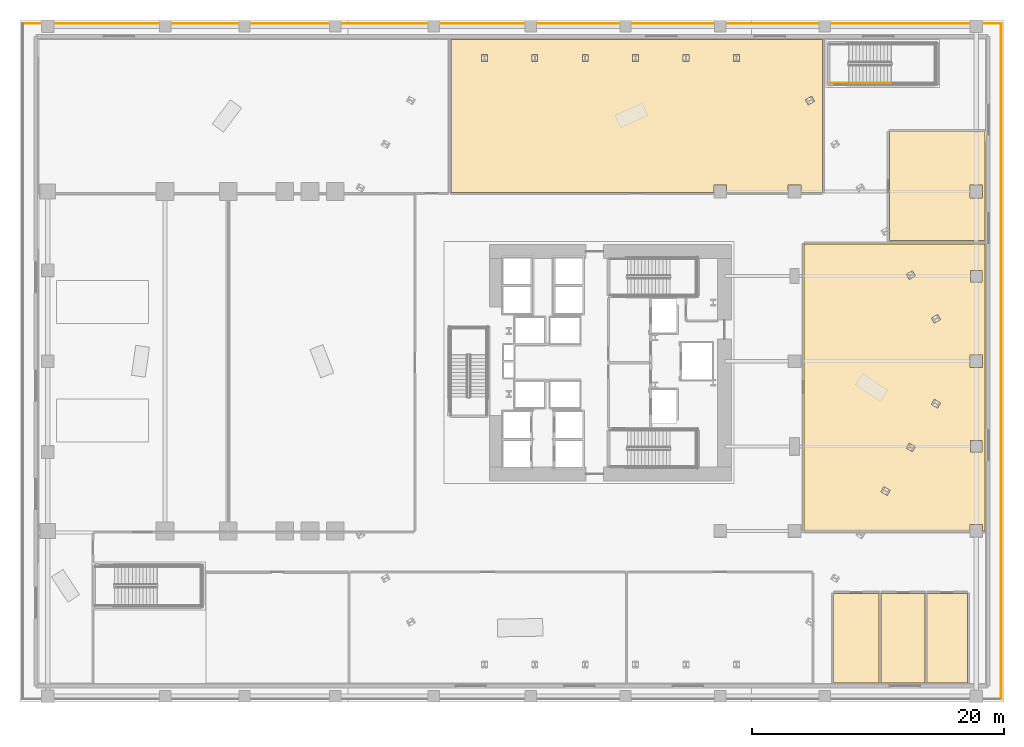
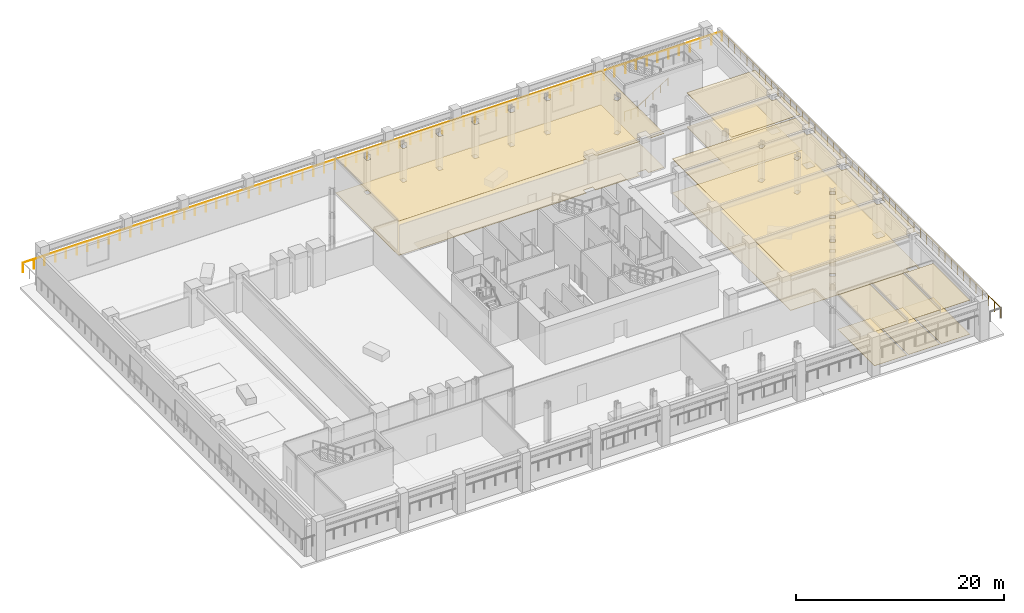
# One storey, part 16 of 18: 12 coverings, 4 railings.
"""IFC4 building model written with IfcOpenShell, lengths in metres."""

import ifcopenshell
import ifcopenshell.guid

model = None  # the IFC model being written
_history = None  # IfcOwnerHistory: only IFC2X3 demands one
_inside = {}  # id of a spatial element -> (the spatial element, [elements in it])
_under = {}  # id of a project, library or spatial element -> (it, [spatial elements below it])
_declared = {}  # id of a project -> (the project, [libraries it declares])
_typed = {}  # id of a type object -> (the type object, [elements of that type])
_made_of = {}  # id of a material, layer set ... -> (it, [elements and type objects made of it])


def new_model(schema):
    """Start an empty IFC model of exactly this schema.

    Asked for "IFC4X3", IfcOpenShell would pick the latest addendum, in which some entities
    have other attributes; the version numbers below select the first issue.
    IFC2X3 requires an IfcOwnerHistory on every rooted entity: one is made here for all.
    """
    global model, _history
    if schema == "IFC4X3":
        model = ifcopenshell.file(schema_version=(4, 3, 0, 0))
    else:
        model = ifcopenshell.file(schema=schema)
    _inside.clear()
    _under.clear()
    _declared.clear()
    _typed.clear()
    _made_of.clear()
    _history = None
    if model.schema == "IFC2X3":
        org = make("IfcOrganization", Name="unknown")
        user = make(
            "IfcPersonAndOrganization",
            ThePerson=make("IfcPerson", FamilyName="unknown"),
            TheOrganization=org,
        )
        app = make(
            "IfcApplication",
            ApplicationDeveloper=org,
            Version="unknown",
            ApplicationFullName="unknown",
            ApplicationIdentifier="unknown",
        )
        _history = make(
            "IfcOwnerHistory",
            OwningUser=user,
            OwningApplication=app,
            ChangeAction="ADDED",
            CreationDate=0,
        )
    return model


def make(cls, **values):
    """One entity of the class cls with the attributes given. An attribute that is None is left unset."""
    return model.create_entity(
        cls, **{name: value for name, value in values.items() if value is not None}
    )


def rooted(cls, **values):
    """An entity with a GlobalId (a new one), such as an element, a storey or a relation."""
    return make(cls, GlobalId=ifcopenshell.guid.new(), OwnerHistory=_history, **values)


def si_unit(unit_type, name, prefix=None):
    """IfcSIUnit, for example si_unit("LENGTHUNIT", "METRE", prefix="MILLI")."""
    return make("IfcSIUnit", UnitType=unit_type, Prefix=prefix, Name=name)


def assignment(units):
    """IfcUnitAssignment: the units of a project."""
    return None if units is None else make("IfcUnitAssignment", Units=units)


def point(xyz):
    """IfcCartesianPoint."""
    return None if xyz is None else make("IfcCartesianPoint", Coordinates=xyz)


def direction(xyz):
    """IfcDirection."""
    return None if xyz is None else make("IfcDirection", DirectionRatios=xyz)


def frame(location, z_axis=None, x_axis=None):
    """IfcAxis2Placement3D, a coordinate frame: its origin and axes. An axis left out is left unset."""
    return make(
        "IfcAxis2Placement3D",
        Location=point(location),
        Axis=direction(z_axis),
        RefDirection=direction(x_axis),
    )


def frame_2d(location, x_axis=None):
    """IfcAxis2Placement2D, a coordinate frame in the plane: its origin and x axis."""
    return make(
        "IfcAxis2Placement2D", Location=point(location), RefDirection=direction(x_axis)
    )


def origin():
    """The frame at (0, 0, 0) with its axes left unset."""
    return frame((0.0, 0.0, 0.0))


def origin_2d():
    """The frame at (0, 0) in the plane with its x axis left unset."""
    return frame_2d((0.0, 0.0))


def place(relative_to, where):
    """IfcLocalPlacement: puts the frame where relative to a parent placement (None: the world)."""
    return make(
        "IfcLocalPlacement", PlacementRelTo=relative_to, RelativePlacement=where
    )


def context(
    kind, dimensions, precision=None, world=None, true_north=None, identifier=None
):
    """IfcGeometricRepresentationContext, for example the 3D "Model" context."""
    return make(
        "IfcGeometricRepresentationContext",
        ContextIdentifier=identifier,
        ContextType=kind,
        CoordinateSpaceDimension=dimensions,
        Precision=precision,
        WorldCoordinateSystem=world,
        TrueNorth=true_north,
    )


def subcontext(parent, identifier, kind, view, scale=None):
    """IfcGeometricRepresentationSubContext, for example "Body" below "Model"."""
    return make(
        "IfcGeometricRepresentationSubContext",
        ContextIdentifier=identifier,
        ContextType=kind,
        ParentContext=parent,
        TargetScale=scale,
        TargetView=view,
    )


def project(units=None, contexts=None):
    """IfcProject with its units and contexts."""
    return rooted(
        "IfcProject",
        Name="project",
        RepresentationContexts=contexts,
        UnitsInContext=assignment(units),
    )


def spatial(cls, under=None, at=None, **own):
    """A site, building, storey or space (cls), placed at a placement, below another one or the project."""
    s = rooted(cls, ObjectPlacement=at, **own)
    if under is not None:
        _under.setdefault(under.id(), (under, []))[1].append(s)
    return s


def polyline(points):
    """IfcPolyline through the points."""
    return make("IfcPolyline", Points=[point(p) for p in points])


def profile(cls, at=None, kind="AREA", **sizes):
    """A parametric profile (cls). Its sizes go by their IFC names, for example OverallWidth=200.0."""
    return make(cls, ProfileType=kind, Position=at, **sizes)


def circle(**sizes):
    """IfcCircleProfileDef."""
    return profile("IfcCircleProfileDef", **sizes)


def outline(outer, holes=None, kind="AREA"):
    """IfcArbitraryClosedProfileDef: a profile drawn as a closed curve; with holes, ...WithVoids."""
    if holes is None:
        return make("IfcArbitraryClosedProfileDef", ProfileType=kind, OuterCurve=outer)
    return make(
        "IfcArbitraryProfileDefWithVoids",
        ProfileType=kind,
        OuterCurve=outer,
        InnerCurves=holes,
    )


def extrude(swept, where, along, depth):
    """IfcExtrudedAreaSolid: the profile swept, set in the frame where, extruded along a direction by depth."""
    return make(
        "IfcExtrudedAreaSolid",
        SweptArea=swept,
        Position=where,
        ExtrudedDirection=direction(along),
        Depth=depth,
    )


def shape(context_of_items, identifier, shape_type, items):
    """IfcShapeRepresentation: the items that make up one representation, for example the "Body"."""
    return make(
        "IfcShapeRepresentation",
        ContextOfItems=context_of_items,
        RepresentationIdentifier=identifier,
        RepresentationType=shape_type,
        Items=items,
    )


def material(Name=None, Category=None):
    """IfcMaterial."""
    return make("IfcMaterial", Name=Name, Category=Category)


def layer(
    of_material, thickness, ventilated=None, Name=None, Category=None, Priority=None
):
    """IfcMaterialLayer: one layer of a wall or slab, of a material (None: an air gap)."""
    return make(
        "IfcMaterialLayer",
        Material=of_material,
        LayerThickness=thickness,
        IsVentilated=ventilated,
        Name=Name,
        Category=Category,
        Priority=Priority,
    )


def layer_set(layers, Name=None):
    """IfcMaterialLayerSet."""
    return make("IfcMaterialLayerSet", MaterialLayers=layers, LayerSetName=Name)


def made_of(thing, what):
    """Note that an element or type object is made of a material, layer set ...; save() writes the relation."""
    if what is not None:
        _made_of.setdefault(what.id(), (what, []))[1].append(thing)
    return thing


def type_object(cls, material=None, **own):
    """A type object (cls), such as IfcWallType, which elements share."""
    return made_of(rooted(cls, **own), material)


def element(
    cls,
    number,
    at=None,
    inside=None,
    cuts=None,
    type_object=None,
    material=None,
    context=None,
    identifier="Body",
    shape_type=None,
    held_by="IfcProductDefinitionShape",
    body=None,
    shapes=None,
    **own,
):
    """One element of the class cls, such as IfcWall. Its Tag is "e" and its number.

    at: its placement. inside: the storey or other place that contains it. cuts: it is an
    opening in that element (IfcRelVoidsElement). A single representation is given by context,
    identifier, shape_type and body (its items); several are given by shapes. held_by: the class
    of the entity that holds the representations. save() writes the other relations.
    """
    e = rooted(cls, Tag="e%d" % number, ObjectPlacement=at, **own)
    if body is not None:
        shapes = [shape(context, identifier, shape_type, body)]
    if shapes is not None:
        e.Representation = make(held_by, Representations=shapes)
    if inside is not None:
        _inside.setdefault(inside.id(), (inside, []))[1].append(e)
    if cuts is not None:
        rooted(
            "IfcRelVoidsElement", RelatingBuildingElement=cuts, RelatedOpeningElement=e
        )
    if type_object is not None:
        _typed.setdefault(type_object.id(), (type_object, []))[1].append(e)
    return made_of(e, material)


def aggregate(whole, parts):
    """IfcRelAggregates: a whole, such as a stair, and the parts it consists of."""
    return rooted("IfcRelAggregates", RelatingObject=whole, RelatedObjects=parts)


def save(model, path):
    """Write the relations noted so far, then the file.

    IfcRelAggregates (storeys below a building ...), IfcRelContainedInSpatialStructure (elements
    in a storey), IfcRelDefinesByType, IfcRelAssociatesMaterial and IfcRelDeclares: one each for
    every whole, place, type object, material and project.
    """
    for whole, parts in _under.values():
        aggregate(whole, parts)
    for where, things in _inside.values():
        rooted(
            "IfcRelContainedInSpatialStructure",
            RelatedElements=things,
            RelatingStructure=where,
        )
    for kind, things in _typed.values():
        rooted("IfcRelDefinesByType", RelatedObjects=things, RelatingType=kind)
    for what, things in _made_of.values():
        rooted("IfcRelAssociatesMaterial", RelatedObjects=things, RelatingMaterial=what)
    for by, libraries in _declared.values():
        rooted("IfcRelDeclares", RelatingContext=by, RelatedDefinitions=libraries)
    model.write(path)


model = new_model("IFC4")

# Units and contexts
model_context = context("Model", 3, precision=1e-05, world=origin(), true_north=direction((0.0, 1.0)))
body_context = subcontext(model_context, "Body", "Model", "MODEL_VIEW")
ifc_project = project(units=[si_unit("LENGTHUNIT", "METRE"), si_unit("AREAUNIT", "SQUARE_METRE"), si_unit("VOLUMEUNIT", "CUBIC_METRE"), si_unit("PLANEANGLEUNIT", "RADIAN"), si_unit("MASSUNIT", "GRAM", prefix="KILO")], contexts=[model_context])

# Site, building, storey
site_placement = place(None, origin())
site = spatial("IfcSite", under=ifc_project, at=site_placement, CompositionType="ELEMENT")
building_placement = place(site_placement, origin())
building = spatial("IfcBuilding", under=site, at=building_placement, Name="Valkerne Bourse Tower", CompositionType="ELEMENT")
storey_placement = place(building_placement, frame((0.0, 0.0, 10.199951171875)))
storey = spatial("IfcBuildingStorey", under=building, at=storey_placement, Name="L02", CompositionType="ELEMENT", Elevation=10.199951171875)

# Coverings
ifc_material_1 = material(Name="Mineral Fiber Acoustic Ceiling Tile", Category="acoustic")
ifc_layer_1 = layer(ifc_material_1, 0.02490234375)
ifc_layer_set_1 = layer_set([ifc_layer_1], Name="Mineral Fiber Acoustic Ceiling Tile")
covering_type_1 = type_object("IfcCoveringType", Name="COV-CEIL-ACT", PredefinedType="CEILING", material=ifc_layer_set_1)
covering_1_placement = place(storey_placement, frame((0.0, 0.0, 4.010009765625)))
element("IfcCovering", 1, at=covering_1_placement, inside=storey, type_object=covering_type_1, Name="L02 Suspended Ceiling 05", PredefinedType="CEILING", context=body_context, shape_type="SweptSolid", body=[
    extrude(outline(polyline([(64.50390625, 8.595947265625), (68.095947265625, 8.595947265625), (68.095947265625, 1.50390625), (64.50390625, 1.50390625), (64.50390625, 8.595947265625)])), origin(), (0.0, 0.0, 1.0), 0.025146484375),
])
covering_2_placement = place(storey_placement, frame((0.0, 0.0, 4.010009765625)))
element("IfcCovering", 2, at=covering_2_placement, inside=storey, type_object=covering_type_1, Name="L02 Suspended Ceiling 06", PredefinedType="CEILING", context=body_context, shape_type="SweptSolid", body=[
    extrude(outline(polyline([(68.263916015625, 8.595947265625), (71.74609375, 8.595947265625), (71.74609375, 1.50390625), (68.263916015625, 1.50390625), (68.263916015625, 8.595947265625)])), origin(), (0.0, 0.0, 1.0), 0.025146484375),
])
covering_3_placement = place(storey_placement, frame((0.0, 0.0, 4.010009765625)))
element("IfcCovering", 3, at=covering_3_placement, inside=storey, type_object=covering_type_1, Name="L02 Suspended Ceiling 07", PredefinedType="CEILING", context=body_context, shape_type="SweptSolid", body=[
    extrude(outline(polyline([(71.9140625, 8.595947265625), (75.095947265625, 8.595947265625), (75.095947265625, 1.50390625), (71.9140625, 1.50390625), (71.9140625, 8.595947265625)])), origin(), (0.0, 0.0, 1.0), 0.025146484375),
])
covering_4_placement = place(storey_placement, frame((0.0, 0.0, 4.010009765625)))
element("IfcCovering", 4, at=covering_4_placement, inside=storey, type_object=covering_type_1, Name="L02 Suspended Ceiling 08", PredefinedType="CEILING", context=body_context, shape_type="SweptSolid", body=[
    extrude(outline(polyline([(62.154052734375, 36.2958984375), (76.49609375, 36.2958984375), (76.49609375, 13.553955078125), (76.303955078125, 13.553955078125), (76.303955078125, 14.053955078125), (75.2958984375, 14.053955078125), (75.2958984375, 13.553955078125), (66.555908203125, 13.553955078125), (66.479248046875, 13.59814453125), (66.453857421875, 13.553955078125), (62.154052734375, 13.553955078125), (62.154052734375, 36.2958984375)]), holes=[polyline([(68.24609375, 16.658203125), (68.74560546875, 16.36962890625), (68.97705078125, 16.770263671875), (68.477294921875, 17.058837890625), (68.24609375, 16.658203125)]), polyline([(70.475341796875, 20.51953125), (70.243896484375, 20.118896484375), (70.74365234375, 19.830322265625), (70.97509765625, 20.23095703125), (70.475341796875, 20.51953125)]), polyline([(76.25390625, 20.7041015625), (75.345947265625, 20.7041015625), (75.345947265625, 19.7958984375), (76.25390625, 19.7958984375), (76.25390625, 20.7041015625)]), polyline([(72.473388671875, 23.97998046875), (72.241943359375, 23.579345703125), (72.74169921875, 23.291015625), (72.972900390625, 23.691650390625), (72.473388671875, 23.97998046875)]), polyline([(76.303955078125, 27.50390625), (75.2958984375, 27.50390625), (75.2958984375, 26.49609375), (76.303955078125, 26.49609375), (76.303955078125, 27.50390625)]), polyline([(72.74169921875, 30.708984375), (72.241943359375, 30.420654296875), (72.473388671875, 30.02001953125), (72.972900390625, 30.308349609375), (72.74169921875, 30.708984375)]), polyline([(76.25390625, 34.2041015625), (75.345947265625, 34.2041015625), (75.345947265625, 33.2958984375), (76.25390625, 33.2958984375), (76.25390625, 34.2041015625)]), polyline([(70.243896484375, 33.881103515625), (70.475341796875, 33.48046875), (70.97509765625, 33.76904296875), (70.74365234375, 34.169677734375), (70.243896484375, 33.881103515625)])]), origin(), (0.0, 0.0, 1.0), 0.025146484375),
])
covering_5_placement = place(storey_placement, frame((0.0, 0.0, 4.010009765625)))
element("IfcCovering", 5, at=covering_5_placement, inside=storey, type_object=covering_type_1, Name="L02 Suspended Ceiling 09", PredefinedType="CEILING", context=body_context, shape_type="SweptSolid", body=[
    extrude(outline(polyline([(68.904052734375, 37.1875), (68.97705078125, 37.229736328125), (68.904052734375, 37.356201171875), (68.904052734375, 45.196044921875), (76.49609375, 45.196044921875), (76.49609375, 36.553955078125), (68.904052734375, 36.553955078125), (68.904052734375, 37.1875)]), holes=[polyline([(76.303955078125, 40.9541015625), (75.2958984375, 40.9541015625), (75.2958984375, 39.946044921875), (76.303955078125, 39.946044921875), (76.303955078125, 40.9541015625)])]), origin(), (0.0, 0.0, 1.0), 0.025146484375),
])
covering_6_placement = place(storey_placement, frame((0.0, 0.0, 4.010009765625)))
element("IfcCovering", 6, at=covering_6_placement, inside=storey, type_object=covering_type_1, Name="L02 Suspended Ceiling 10", PredefinedType="CEILING", context=body_context, shape_type="SweptSolid", body=[
    extrude(outline(polyline([(34.154052734375, 52.49609375), (63.595947265625, 52.49609375), (63.595947265625, 40.384033203125), (61.904052734375, 40.384033203125), (61.904052734375, 40.9541015625), (60.89599609375, 40.9541015625), (60.89599609375, 40.384033203125), (56.00390625, 40.384033203125), (56.00390625, 40.9541015625), (54.99609375, 40.9541015625), (54.99609375, 40.384033203125), (34.154052734375, 40.384033203125), (34.154052734375, 52.49609375)]), holes=[polyline([(57.021240234375, 51.32080078125), (56.55859375, 51.32080078125), (56.55859375, 50.74365234375), (57.021240234375, 50.74365234375), (57.021240234375, 51.32080078125)]), polyline([(53.025390625, 51.32080078125), (52.5625, 51.32080078125), (52.5625, 50.74365234375), (53.025390625, 50.74365234375), (53.025390625, 51.32080078125)]), polyline([(48.566650390625, 51.32080078125), (48.566650390625, 50.74365234375), (49.029296875, 50.74365234375), (49.029296875, 51.32080078125), (48.566650390625, 51.32080078125)]), polyline([(45.033203125, 51.32080078125), (44.57080078125, 51.32080078125), (44.57080078125, 50.74365234375), (45.033203125, 50.74365234375), (45.033203125, 51.32080078125)]), polyline([(41.037353515625, 51.32080078125), (40.57470703125, 51.32080078125), (40.57470703125, 50.74365234375), (41.037353515625, 50.74365234375), (41.037353515625, 51.32080078125)]), polyline([(36.57861328125, 51.32080078125), (36.57861328125, 50.74365234375), (37.04150390625, 50.74365234375), (37.04150390625, 51.32080078125), (36.57861328125, 51.32080078125)]), polyline([(62.751708984375, 48.01220703125), (62.251953125, 47.723876953125), (62.4833984375, 47.322998046875), (62.98291015625, 47.611572265625), (62.751708984375, 48.01220703125)])]), origin(), (0.0, 0.0, 1.0), 0.025146484375),
])
ifc_material_2 = material(Name="Galvanised Painted Steel", Category="steel")
ifc_layer_2 = layer(ifc_material_2, 0.044921875)
ifc_layer_set_2 = layer_set([ifc_layer_2], Name="Galvanised Painted Steel")
covering_type_2 = type_object("IfcCoveringType", Name="COV-FLR-RAF", PredefinedType="FLOORING", material=ifc_layer_set_2)
covering_7_placement = place(storey_placement, origin())
element("IfcCovering", 7, at=covering_7_placement, inside=storey, type_object=covering_type_2, Name="L02 Floor Finish 08", PredefinedType="FLOORING", context=body_context, shape_type="SweptSolid", body=[
    extrude(outline(polyline([(62.154052734375, 36.2958984375), (76.49609375, 36.2958984375), (76.49609375, 13.553955078125), (76.303955078125, 13.553955078125), (76.303955078125, 14.053955078125), (75.2958984375, 14.053955078125), (75.2958984375, 13.553955078125), (66.555908203125, 13.553955078125), (66.479248046875, 13.59814453125), (66.453857421875, 13.553955078125), (62.154052734375, 13.553955078125), (62.154052734375, 36.2958984375)]), holes=[polyline([(68.24609375, 16.658203125), (68.74560546875, 16.36962890625), (68.97705078125, 16.770263671875), (68.477294921875, 17.058837890625), (68.24609375, 16.658203125)]), polyline([(70.475341796875, 20.51953125), (70.243896484375, 20.118896484375), (70.74365234375, 19.830322265625), (70.97509765625, 20.23095703125), (70.475341796875, 20.51953125)]), polyline([(76.25390625, 20.7041015625), (75.345947265625, 20.7041015625), (75.345947265625, 19.7958984375), (76.25390625, 19.7958984375), (76.25390625, 20.7041015625)]), polyline([(72.473388671875, 23.97998046875), (72.241943359375, 23.579345703125), (72.74169921875, 23.291015625), (72.972900390625, 23.691650390625), (72.473388671875, 23.97998046875)]), polyline([(76.303955078125, 27.50390625), (75.2958984375, 27.50390625), (75.2958984375, 26.49609375), (76.303955078125, 26.49609375), (76.303955078125, 27.50390625)]), polyline([(72.74169921875, 30.708984375), (72.241943359375, 30.420654296875), (72.473388671875, 30.02001953125), (72.972900390625, 30.308349609375), (72.74169921875, 30.708984375)]), polyline([(76.25390625, 34.2041015625), (75.345947265625, 34.2041015625), (75.345947265625, 33.2958984375), (76.25390625, 33.2958984375), (76.25390625, 34.2041015625)]), polyline([(70.243896484375, 33.881103515625), (70.475341796875, 33.48046875), (70.97509765625, 33.76904296875), (70.74365234375, 34.169677734375), (70.243896484375, 33.881103515625)])]), origin(), (0.0, 0.0, 1.0), 0.045166015625),
])
covering_8_placement = place(storey_placement, origin())
element("IfcCovering", 8, at=covering_8_placement, inside=storey, type_object=covering_type_2, Name="L02 Floor Finish 09", PredefinedType="FLOORING", context=body_context, shape_type="SweptSolid", body=[
    extrude(outline(polyline([(68.904052734375, 37.1875), (68.97705078125, 37.229736328125), (68.904052734375, 37.356201171875), (68.904052734375, 45.196044921875), (76.49609375, 45.196044921875), (76.49609375, 36.553955078125), (68.904052734375, 36.553955078125), (68.904052734375, 37.1875)]), holes=[polyline([(76.303955078125, 40.9541015625), (75.2958984375, 40.9541015625), (75.2958984375, 39.946044921875), (76.303955078125, 39.946044921875), (76.303955078125, 40.9541015625)])]), origin(), (0.0, 0.0, 1.0), 0.045166015625),
])
covering_9_placement = place(storey_placement, origin())
element("IfcCovering", 9, at=covering_9_placement, inside=storey, type_object=covering_type_2, Name="L02 Floor Finish 10", PredefinedType="FLOORING", context=body_context, shape_type="SweptSolid", body=[
    extrude(outline(polyline([(34.154052734375, 52.49609375), (63.595947265625, 52.49609375), (63.595947265625, 40.384033203125), (61.904052734375, 40.384033203125), (61.904052734375, 40.9541015625), (60.89599609375, 40.9541015625), (60.89599609375, 40.384033203125), (56.00390625, 40.384033203125), (56.00390625, 40.9541015625), (54.99609375, 40.9541015625), (54.99609375, 40.384033203125), (34.154052734375, 40.384033203125), (34.154052734375, 52.49609375)]), holes=[polyline([(57.021240234375, 51.32080078125), (56.55859375, 51.32080078125), (56.55859375, 50.74365234375), (57.021240234375, 50.74365234375), (57.021240234375, 51.32080078125)]), polyline([(53.025390625, 51.32080078125), (52.5625, 51.32080078125), (52.5625, 50.74365234375), (53.025390625, 50.74365234375), (53.025390625, 51.32080078125)]), polyline([(48.566650390625, 51.32080078125), (48.566650390625, 50.74365234375), (49.029296875, 50.74365234375), (49.029296875, 51.32080078125), (48.566650390625, 51.32080078125)]), polyline([(45.033203125, 51.32080078125), (44.57080078125, 51.32080078125), (44.57080078125, 50.74365234375), (45.033203125, 50.74365234375), (45.033203125, 51.32080078125)]), polyline([(41.037353515625, 51.32080078125), (40.57470703125, 51.32080078125), (40.57470703125, 50.74365234375), (41.037353515625, 50.74365234375), (41.037353515625, 51.32080078125)]), polyline([(36.57861328125, 51.32080078125), (36.57861328125, 50.74365234375), (37.04150390625, 50.74365234375), (37.04150390625, 51.32080078125), (36.57861328125, 51.32080078125)]), polyline([(62.751708984375, 48.01220703125), (62.251953125, 47.723876953125), (62.4833984375, 47.322998046875), (62.98291015625, 47.611572265625), (62.751708984375, 48.01220703125)])]), origin(), (0.0, 0.0, 1.0), 0.045166015625),
])
ifc_material_3 = material(Name="Polished Granite Stone", Category="masonry")
ifc_layer_3 = layer(ifc_material_3, 0.030029296875)
ifc_layer_set_3 = layer_set([ifc_layer_3], Name="Polished Granite Stone")
covering_type_3 = type_object("IfcCoveringType", Name="COV-FLR-TERRAZZO", PredefinedType="FLOORING", material=ifc_layer_set_3)
covering_10_placement = place(storey_placement, origin())
element("IfcCovering", 10, at=covering_10_placement, inside=storey, type_object=covering_type_3, Name="L02 Floor Finish 05", PredefinedType="FLOORING", context=body_context, shape_type="SweptSolid", body=[
    extrude(outline(polyline([(64.50390625, 8.595947265625), (68.095947265625, 8.595947265625), (68.095947265625, 1.50390625), (64.50390625, 1.50390625), (64.50390625, 8.595947265625)])), origin(), (0.0, 0.0, 1.0), 0.030029296875),
])
covering_11_placement = place(storey_placement, origin())
element("IfcCovering", 11, at=covering_11_placement, inside=storey, type_object=covering_type_3, Name="L02 Floor Finish 06", PredefinedType="FLOORING", context=body_context, shape_type="SweptSolid", body=[
    extrude(outline(polyline([(68.263916015625, 8.595947265625), (71.74609375, 8.595947265625), (71.74609375, 1.50390625), (68.263916015625, 1.50390625), (68.263916015625, 8.595947265625)])), origin(), (0.0, 0.0, 1.0), 0.030029296875),
])
covering_12_placement = place(storey_placement, origin())
element("IfcCovering", 12, at=covering_12_placement, inside=storey, type_object=covering_type_3, Name="L02 Floor Finish 07", PredefinedType="FLOORING", context=body_context, shape_type="SweptSolid", body=[
    extrude(outline(polyline([(71.9140625, 8.595947265625), (75.095947265625, 8.595947265625), (75.095947265625, 1.50390625), (71.9140625, 1.50390625), (71.9140625, 8.595947265625)])), origin(), (0.0, 0.0, 1.0), 0.030029296875),
])

# Railings
ifc_material_4 = material(Name="Laminated Tempered Safety Glass", Category="glass")
railing_type_1 = type_object("IfcRailingType", Name="RLG-GUARD-1150", PredefinedType="BALUSTRADE", material=ifc_material_4)
railing_1_placement = place(storey_placement, frame((77.780029296875, 0.219970703125, 1.800048828125)))
element("IfcRailing", 13, at=railing_1_placement, inside=storey, type_object=railing_type_1, Name="L02 Perimeter Guard Railing GRD-POD-L02-02", PredefinedType="BALUSTRADE", context=body_context, shape_type="SweptSolid", body=[
    extrude(circle(Radius=0.02392578125, at=origin_2d()), frame((0.0, 0.0, 1.1259765625), z_axis=(0.0, 1.0, 0.0), x_axis=(-1.0, 0.0, 0.0)), (0.0, 0.0, 1.0), 53.56005859375),
    extrude(circle(Radius=0.02099609375, at=origin_2d()), origin(), (0.0, 0.0, 1.0), 1.101806640625),
    extrude(circle(Radius=0.02099609375, at=origin_2d()), frame((0.0, 1.190185546875, 0.0)), (0.0, 0.0, 1.0), 1.101806640625),
    extrude(circle(Radius=0.02099609375, at=origin_2d()), frame((0.0, 2.38037109375, 0.0)), (0.0, 0.0, 1.0), 1.101806640625),
    extrude(circle(Radius=0.02099609375, at=origin_2d()), frame((0.0, 3.570556640625, 0.0)), (0.0, 0.0, 1.0), 1.101806640625),
    extrude(circle(Radius=0.02099609375, at=origin_2d()), frame((0.0, 4.760986328125, 0.0)), (0.0, 0.0, 1.0), 1.101806640625),
    extrude(circle(Radius=0.02099609375, at=origin_2d()), frame((0.0, 5.951171875, 0.0)), (0.0, 0.0, 1.0), 1.101806640625),
    extrude(circle(Radius=0.02099609375, at=origin_2d()), frame((0.0, 7.141357421875, 0.0)), (0.0, 0.0, 1.0), 1.101806640625),
    extrude(circle(Radius=0.02099609375, at=origin_2d()), frame((0.0, 8.33154296875, 0.0)), (0.0, 0.0, 1.0), 1.101806640625),
    extrude(circle(Radius=0.02099609375, at=origin_2d()), frame((0.0, 9.521728515625, 0.0)), (0.0, 0.0, 1.0), 1.101806640625),
    extrude(circle(Radius=0.02099609375, at=origin_2d()), frame((0.0, 10.7119140625, 0.0)), (0.0, 0.0, 1.0), 1.101806640625),
    extrude(circle(Radius=0.02099609375, at=origin_2d()), frame((0.0, 11.90234375, 0.0)), (0.0, 0.0, 1.0), 1.101806640625),
    extrude(circle(Radius=0.02099609375, at=origin_2d()), frame((0.0, 13.092529296875, 0.0)), (0.0, 0.0, 1.0), 1.101806640625),
    extrude(circle(Radius=0.02099609375, at=origin_2d()), frame((0.0, 14.28271484375, 0.0)), (0.0, 0.0, 1.0), 1.101806640625),
    extrude(circle(Radius=0.02099609375, at=origin_2d()), frame((0.0, 15.472900390625, 0.0)), (0.0, 0.0, 1.0), 1.101806640625),
    extrude(circle(Radius=0.02099609375, at=origin_2d()), frame((0.0, 16.6630859375, 0.0)), (0.0, 0.0, 1.0), 1.101806640625),
    extrude(circle(Radius=0.02099609375, at=origin_2d()), frame((0.0, 17.853271484375, 0.0)), (0.0, 0.0, 1.0), 1.101806640625),
    extrude(circle(Radius=0.02099609375, at=origin_2d()), frame((0.0, 19.04345703125, 0.0)), (0.0, 0.0, 1.0), 1.101806640625),
    extrude(circle(Radius=0.02099609375, at=origin_2d()), frame((0.0, 20.23388671875, 0.0)), (0.0, 0.0, 1.0), 1.101806640625),
    extrude(circle(Radius=0.02099609375, at=origin_2d()), frame((0.0, 21.424072265625, 0.0)), (0.0, 0.0, 1.0), 1.101806640625),
    extrude(circle(Radius=0.02099609375, at=origin_2d()), frame((0.0, 22.6142578125, 0.0)), (0.0, 0.0, 1.0), 1.101806640625),
    extrude(circle(Radius=0.02099609375, at=origin_2d()), frame((0.0, 23.804443359375, 0.0)), (0.0, 0.0, 1.0), 1.101806640625),
    extrude(circle(Radius=0.02099609375, at=origin_2d()), frame((0.0, 24.99462890625, 0.0)), (0.0, 0.0, 1.0), 1.101806640625),
    extrude(circle(Radius=0.02099609375, at=origin_2d()), frame((0.0, 26.184814453125, 0.0)), (0.0, 0.0, 1.0), 1.101806640625),
    extrude(circle(Radius=0.02099609375, at=origin_2d()), frame((0.0, 27.375244140625, 0.0)), (0.0, 0.0, 1.0), 1.101806640625),
    extrude(circle(Radius=0.02099609375, at=origin_2d()), frame((0.0, 28.5654296875, 0.0)), (0.0, 0.0, 1.0), 1.101806640625),
    extrude(circle(Radius=0.02099609375, at=origin_2d()), frame((0.0, 29.755615234375, 0.0)), (0.0, 0.0, 1.0), 1.101806640625),
    extrude(circle(Radius=0.02099609375, at=origin_2d()), frame((0.0, 30.94580078125, 0.0)), (0.0, 0.0, 1.0), 1.101806640625),
    extrude(circle(Radius=0.02099609375, at=origin_2d()), frame((0.0, 32.135986328125, 0.0)), (0.0, 0.0, 1.0), 1.101806640625),
    extrude(circle(Radius=0.02099609375, at=origin_2d()), frame((0.0, 33.326171875, 0.0)), (0.0, 0.0, 1.0), 1.101806640625),
    extrude(circle(Radius=0.02099609375, at=origin_2d()), frame((0.0, 34.5166015625, 0.0)), (0.0, 0.0, 1.0), 1.101806640625),
    extrude(circle(Radius=0.02099609375, at=origin_2d()), frame((0.0, 35.706787109375, 0.0)), (0.0, 0.0, 1.0), 1.101806640625),
    extrude(circle(Radius=0.02099609375, at=origin_2d()), frame((0.0, 36.89697265625, 0.0)), (0.0, 0.0, 1.0), 1.101806640625),
    extrude(circle(Radius=0.02099609375, at=origin_2d()), frame((0.0, 38.087158203125, 0.0)), (0.0, 0.0, 1.0), 1.101806640625),
    extrude(circle(Radius=0.02099609375, at=origin_2d()), frame((0.0, 39.27734375, 0.0)), (0.0, 0.0, 1.0), 1.101806640625),
    extrude(circle(Radius=0.02099609375, at=origin_2d()), frame((0.0, 40.467529296875, 0.0)), (0.0, 0.0, 1.0), 1.101806640625),
    extrude(circle(Radius=0.02099609375, at=origin_2d()), frame((0.0, 41.65771484375, 0.0)), (0.0, 0.0, 1.0), 1.101806640625),
    extrude(circle(Radius=0.02099609375, at=origin_2d()), frame((0.0, 42.84814453125, 0.0)), (0.0, 0.0, 1.0), 1.101806640625),
    extrude(circle(Radius=0.02099609375, at=origin_2d()), frame((0.0, 44.038330078125, 0.0)), (0.0, 0.0, 1.0), 1.101806640625),
    extrude(circle(Radius=0.02099609375, at=origin_2d()), frame((0.0, 45.228515625, 0.0)), (0.0, 0.0, 1.0), 1.101806640625),
    extrude(circle(Radius=0.02099609375, at=origin_2d()), frame((0.0, 46.418701171875, 0.0)), (0.0, 0.0, 1.0), 1.101806640625),
    extrude(circle(Radius=0.02099609375, at=origin_2d()), frame((0.0, 47.60888671875, 0.0)), (0.0, 0.0, 1.0), 1.101806640625),
    extrude(circle(Radius=0.02099609375, at=origin_2d()), frame((0.0, 48.799072265625, 0.0)), (0.0, 0.0, 1.0), 1.101806640625),
    extrude(circle(Radius=0.02099609375, at=origin_2d()), frame((0.0, 49.989501953125, 0.0)), (0.0, 0.0, 1.0), 1.101806640625),
    extrude(circle(Radius=0.02099609375, at=origin_2d()), frame((0.0, 51.1796875, 0.0)), (0.0, 0.0, 1.0), 1.101806640625),
    extrude(circle(Radius=0.02099609375, at=origin_2d()), frame((0.0, 52.369873046875, 0.0)), (0.0, 0.0, 1.0), 1.101806640625),
    extrude(circle(Radius=0.02099609375, at=origin_2d()), frame((0.0, 53.56005859375, 0.0)), (0.0, 0.0, 1.0), 1.101806640625),
])
railing_2_placement = place(storey_placement, frame((77.780029296875, 53.780029296875, 1.800048828125)))
element("IfcRailing", 14, at=railing_2_placement, inside=storey, type_object=railing_type_1, Name="L02 Perimeter Guard Railing GRD-POD-L02-03", PredefinedType="BALUSTRADE", context=body_context, shape_type="SweptSolid", body=[
    extrude(circle(Radius=0.02392578125, at=origin_2d()), frame((0.0, 0.0, 1.1259765625), z_axis=(-1.0, 0.0, 0.0), x_axis=(0.0, -1.0, 0.0)), (0.0, 0.0, 1.0), 77.56005859375),
    extrude(circle(Radius=0.02099609375, at=origin_2d()), origin(), (0.0, 0.0, 1.0), 1.101806640625),
    extrude(circle(Radius=0.02099609375, at=origin_2d()), frame((-1.193115234375, 0.0, 0.0)), (0.0, 0.0, 1.0), 1.101806640625),
    extrude(circle(Radius=0.02099609375, at=origin_2d()), frame((-2.386474609375, 0.0, 0.0)), (0.0, 0.0, 1.0), 1.101806640625),
    extrude(circle(Radius=0.02099609375, at=origin_2d()), frame((-3.57958984375, 0.0, 0.0)), (0.0, 0.0, 1.0), 1.101806640625),
    extrude(circle(Radius=0.02099609375, at=origin_2d()), frame((-4.77294921875, 0.0, 0.0)), (0.0, 0.0, 1.0), 1.101806640625),
    extrude(circle(Radius=0.02099609375, at=origin_2d()), frame((-5.966064453125, 0.0, 0.0)), (0.0, 0.0, 1.0), 1.101806640625),
    extrude(circle(Radius=0.02099609375, at=origin_2d()), frame((-7.159423828125, 0.0, 0.0)), (0.0, 0.0, 1.0), 1.101806640625),
    extrude(circle(Radius=0.02099609375, at=origin_2d()), frame((-8.3525390625, 0.0, 0.0)), (0.0, 0.0, 1.0), 1.101806640625),
    extrude(circle(Radius=0.02099609375, at=origin_2d()), frame((-9.5458984375, 0.0, 0.0)), (0.0, 0.0, 1.0), 1.101806640625),
    extrude(circle(Radius=0.02099609375, at=origin_2d()), frame((-10.739013671875, 0.0, 0.0)), (0.0, 0.0, 1.0), 1.101806640625),
    extrude(circle(Radius=0.02099609375, at=origin_2d()), frame((-11.932373046875, 0.0, 0.0)), (0.0, 0.0, 1.0), 1.101806640625),
    extrude(circle(Radius=0.02099609375, at=origin_2d()), frame((-13.12548828125, 0.0, 0.0)), (0.0, 0.0, 1.0), 1.101806640625),
    extrude(circle(Radius=0.02099609375, at=origin_2d()), frame((-14.31884765625, 0.0, 0.0)), (0.0, 0.0, 1.0), 1.101806640625),
    extrude(circle(Radius=0.02099609375, at=origin_2d()), frame((-15.511962890625, 0.0, 0.0)), (0.0, 0.0, 1.0), 1.101806640625),
    extrude(circle(Radius=0.02099609375, at=origin_2d()), frame((-16.705322265625, 0.0, 0.0)), (0.0, 0.0, 1.0), 1.101806640625),
    extrude(circle(Radius=0.02099609375, at=origin_2d()), frame((-17.8984375, 0.0, 0.0)), (0.0, 0.0, 1.0), 1.101806640625),
    extrude(circle(Radius=0.02099609375, at=origin_2d()), frame((-19.091796875, 0.0, 0.0)), (0.0, 0.0, 1.0), 1.101806640625),
    extrude(circle(Radius=0.02099609375, at=origin_2d()), frame((-20.284912109375, 0.0, 0.0)), (0.0, 0.0, 1.0), 1.101806640625),
    extrude(circle(Radius=0.02099609375, at=origin_2d()), frame((-21.478271484375, 0.0, 0.0)), (0.0, 0.0, 1.0), 1.101806640625),
    extrude(circle(Radius=0.02099609375, at=origin_2d()), frame((-22.67138671875, 0.0, 0.0)), (0.0, 0.0, 1.0), 1.101806640625),
    extrude(circle(Radius=0.02099609375, at=origin_2d()), frame((-23.86474609375, 0.0, 0.0)), (0.0, 0.0, 1.0), 1.101806640625),
    extrude(circle(Radius=0.02099609375, at=origin_2d()), frame((-25.057861328125, 0.0, 0.0)), (0.0, 0.0, 1.0), 1.101806640625),
    extrude(circle(Radius=0.02099609375, at=origin_2d()), frame((-26.2509765625, 0.0, 0.0)), (0.0, 0.0, 1.0), 1.101806640625),
    extrude(circle(Radius=0.02099609375, at=origin_2d()), frame((-27.4443359375, 0.0, 0.0)), (0.0, 0.0, 1.0), 1.101806640625),
    extrude(circle(Radius=0.02099609375, at=origin_2d()), frame((-28.637451171875, 0.0, 0.0)), (0.0, 0.0, 1.0), 1.101806640625),
    extrude(circle(Radius=0.02099609375, at=origin_2d()), frame((-29.830810546875, 0.0, 0.0)), (0.0, 0.0, 1.0), 1.101806640625),
    extrude(circle(Radius=0.02099609375, at=origin_2d()), frame((-31.02392578125, 0.0, 0.0)), (0.0, 0.0, 1.0), 1.101806640625),
    extrude(circle(Radius=0.02099609375, at=origin_2d()), frame((-32.21728515625, 0.0, 0.0)), (0.0, 0.0, 1.0), 1.101806640625),
    extrude(circle(Radius=0.02099609375, at=origin_2d()), frame((-33.410400390625, 0.0, 0.0)), (0.0, 0.0, 1.0), 1.101806640625),
    extrude(circle(Radius=0.02099609375, at=origin_2d()), frame((-34.603759765625, 0.0, 0.0)), (0.0, 0.0, 1.0), 1.101806640625),
    extrude(circle(Radius=0.02099609375, at=origin_2d()), frame((-35.796875, 0.0, 0.0)), (0.0, 0.0, 1.0), 1.101806640625),
    extrude(circle(Radius=0.02099609375, at=origin_2d()), frame((-36.990234375, 0.0, 0.0)), (0.0, 0.0, 1.0), 1.101806640625),
    extrude(circle(Radius=0.02099609375, at=origin_2d()), frame((-38.183349609375, 0.0, 0.0)), (0.0, 0.0, 1.0), 1.101806640625),
    extrude(circle(Radius=0.02099609375, at=origin_2d()), frame((-39.376708984375, 0.0, 0.0)), (0.0, 0.0, 1.0), 1.101806640625),
    extrude(circle(Radius=0.02099609375, at=origin_2d()), frame((-40.56982421875, 0.0, 0.0)), (0.0, 0.0, 1.0), 1.101806640625),
    extrude(circle(Radius=0.02099609375, at=origin_2d()), frame((-41.76318359375, 0.0, 0.0)), (0.0, 0.0, 1.0), 1.101806640625),
    extrude(circle(Radius=0.02099609375, at=origin_2d()), frame((-42.956298828125, 0.0, 0.0)), (0.0, 0.0, 1.0), 1.101806640625),
    extrude(circle(Radius=0.02099609375, at=origin_2d()), frame((-44.149658203125, 0.0, 0.0)), (0.0, 0.0, 1.0), 1.101806640625),
    extrude(circle(Radius=0.02099609375, at=origin_2d()), frame((-45.3427734375, 0.0, 0.0)), (0.0, 0.0, 1.0), 1.101806640625),
    extrude(circle(Radius=0.02099609375, at=origin_2d()), frame((-46.5361328125, 0.0, 0.0)), (0.0, 0.0, 1.0), 1.101806640625),
    extrude(circle(Radius=0.02099609375, at=origin_2d()), frame((-47.729248046875, 0.0, 0.0)), (0.0, 0.0, 1.0), 1.101806640625),
    extrude(circle(Radius=0.02099609375, at=origin_2d()), frame((-48.922607421875, 0.0, 0.0)), (0.0, 0.0, 1.0), 1.101806640625),
    extrude(circle(Radius=0.02099609375, at=origin_2d()), frame((-50.11572265625, 0.0, 0.0)), (0.0, 0.0, 1.0), 1.101806640625),
    extrude(circle(Radius=0.02099609375, at=origin_2d()), frame((-51.30908203125, 0.0, 0.0)), (0.0, 0.0, 1.0), 1.101806640625),
    extrude(circle(Radius=0.02099609375, at=origin_2d()), frame((-52.502197265625, 0.0, 0.0)), (0.0, 0.0, 1.0), 1.101806640625),
    extrude(circle(Radius=0.02099609375, at=origin_2d()), frame((-53.6953125, 0.0, 0.0)), (0.0, 0.0, 1.0), 1.101806640625),
    extrude(circle(Radius=0.02099609375, at=origin_2d()), frame((-54.888671875, 0.0, 0.0)), (0.0, 0.0, 1.0), 1.101806640625),
    extrude(circle(Radius=0.02099609375, at=origin_2d()), frame((-56.081787109375, 0.0, 0.0)), (0.0, 0.0, 1.0), 1.101806640625),
    extrude(circle(Radius=0.02099609375, at=origin_2d()), frame((-57.275146484375, 0.0, 0.0)), (0.0, 0.0, 1.0), 1.101806640625),
    extrude(circle(Radius=0.02099609375, at=origin_2d()), frame((-58.46826171875, 0.0, 0.0)), (0.0, 0.0, 1.0), 1.101806640625),
    extrude(circle(Radius=0.02099609375, at=origin_2d()), frame((-59.66162109375, 0.0, 0.0)), (0.0, 0.0, 1.0), 1.101806640625),
    extrude(circle(Radius=0.02099609375, at=origin_2d()), frame((-60.854736328125, 0.0, 0.0)), (0.0, 0.0, 1.0), 1.101806640625),
    extrude(circle(Radius=0.02099609375, at=origin_2d()), frame((-62.048095703125, 0.0, 0.0)), (0.0, 0.0, 1.0), 1.101806640625),
    extrude(circle(Radius=0.02099609375, at=origin_2d()), frame((-63.2412109375, 0.0, 0.0)), (0.0, 0.0, 1.0), 1.101806640625),
    extrude(circle(Radius=0.02099609375, at=origin_2d()), frame((-64.4345703125, 0.0, 0.0)), (0.0, 0.0, 1.0), 1.101806640625),
    extrude(circle(Radius=0.02099609375, at=origin_2d()), frame((-65.627685546875, 0.0, 0.0)), (0.0, 0.0, 1.0), 1.101806640625),
    extrude(circle(Radius=0.02099609375, at=origin_2d()), frame((-66.821044921875, 0.0, 0.0)), (0.0, 0.0, 1.0), 1.101806640625),
    extrude(circle(Radius=0.02099609375, at=origin_2d()), frame((-68.01416015625, 0.0, 0.0)), (0.0, 0.0, 1.0), 1.101806640625),
    extrude(circle(Radius=0.02099609375, at=origin_2d()), frame((-69.20751953125, 0.0, 0.0)), (0.0, 0.0, 1.0), 1.101806640625),
    extrude(circle(Radius=0.02099609375, at=origin_2d()), frame((-70.400634765625, 0.0, 0.0)), (0.0, 0.0, 1.0), 1.101806640625),
    extrude(circle(Radius=0.02099609375, at=origin_2d()), frame((-71.593994140625, 0.0, 0.0)), (0.0, 0.0, 1.0), 1.101806640625),
    extrude(circle(Radius=0.02099609375, at=origin_2d()), frame((-72.787109375, 0.0, 0.0)), (0.0, 0.0, 1.0), 1.101806640625),
    extrude(circle(Radius=0.02099609375, at=origin_2d()), frame((-73.98046875, 0.0, 0.0)), (0.0, 0.0, 1.0), 1.101806640625),
    extrude(circle(Radius=0.02099609375, at=origin_2d()), frame((-75.173583984375, 0.0, 0.0)), (0.0, 0.0, 1.0), 1.101806640625),
    extrude(circle(Radius=0.02099609375, at=origin_2d()), frame((-76.366943359375, 0.0, 0.0)), (0.0, 0.0, 1.0), 1.101806640625),
    extrude(circle(Radius=0.02099609375, at=origin_2d()), frame((-77.56005859375, 0.0, 0.0)), (0.0, 0.0, 1.0), 1.101806640625),
])
railing_type_2 = type_object("IfcRailingType", Name="RLG-ST-GUARD-1120", PredefinedType="GUARDRAIL", material=ifc_material_2)
railing_3_placement = place(storey_placement, frame((64.199951171875, 49.050048828125, 0.0)))
element("IfcRailing", 15, at=railing_3_placement, inside=storey, type_object=railing_type_2, Name="L02 ST-P2 stair guard 8", PredefinedType="GUARDRAIL", context=body_context, shape_type="SweptSolid", body=[
    extrude(circle(Radius=0.02392578125, at=origin_2d()), frame((0.0, 0.0, 1.09619140625), z_axis=(1.0, 0.0, 0.0), x_axis=(0.0, 1.0, 0.0)), (0.0, 0.0, 1.0), 1.5),
    extrude(circle(Radius=0.02099609375, at=origin_2d()), origin(), (0.0, 0.0, 1.0), 1.072021484375),
    extrude(circle(Radius=0.02099609375, at=origin_2d()), frame((0.75, 0.0, 0.0)), (0.0, 0.0, 1.0), 1.072021484375),
    extrude(circle(Radius=0.02099609375, at=origin_2d()), frame((1.5, 0.0, 0.0)), (0.0, 0.0, 1.0), 1.072021484375),
])
ifc_material_5 = material(Name="Stainless Steel AISI 316", Category="steel")
railing_type_3 = type_object("IfcRailingType", Name="RLG-ST-HANDRAIL-900", PredefinedType="HANDRAIL", material=ifc_material_5)
railing_4_placement = place(storey_placement, frame((65.699951171875, 49.050048828125, 0.35400390625)))
element("IfcRailing", 16, at=railing_4_placement, inside=storey, type_object=railing_type_3, Name="L02 ST-P2 stair handrail 1", PredefinedType="HANDRAIL", context=body_context, shape_type="SweptSolid", body=[
    extrude(circle(Radius=0.02392578125, at=origin_2d()), frame((0.0, 0.0, 0.8759765625), z_axis=(0.845389635667, 0.0, 0.534150132366), x_axis=(0.0, 1.0, 0.0)), (0.0, 0.0, 1.0), 3.974609375),
    extrude(circle(Radius=0.02099609375, at=origin_2d()), origin(), (0.0, 0.0, 1.0), 0.851806640625),
    extrude(circle(Radius=0.02099609375, at=origin_2d()), frame((0.840087890625, 0.0, 0.53076171875)), (0.0, 0.0, 1.0), 0.851806640625),
    extrude(circle(Radius=0.02099609375, at=origin_2d()), frame((1.68017578125, 0.0, 1.0615234375)), (0.0, 0.0, 1.0), 0.851806640625),
    extrude(circle(Radius=0.02099609375, at=origin_2d()), frame((2.52001953125, 0.0, 1.59228515625)), (0.0, 0.0, 1.0), 0.851806640625),
    extrude(circle(Radius=0.02099609375, at=origin_2d()), frame((3.360107421875, 0.0, 2.123046875)), (0.0, 0.0, 1.0), 0.851806640625),
])

save(model, "model.ifc")
